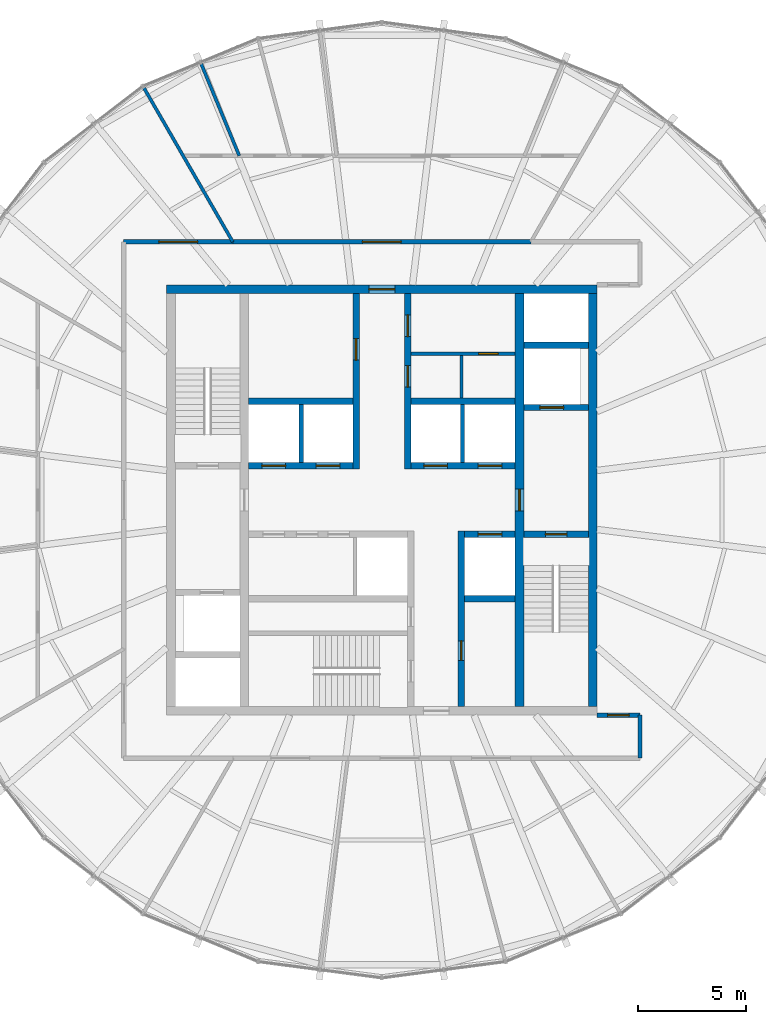
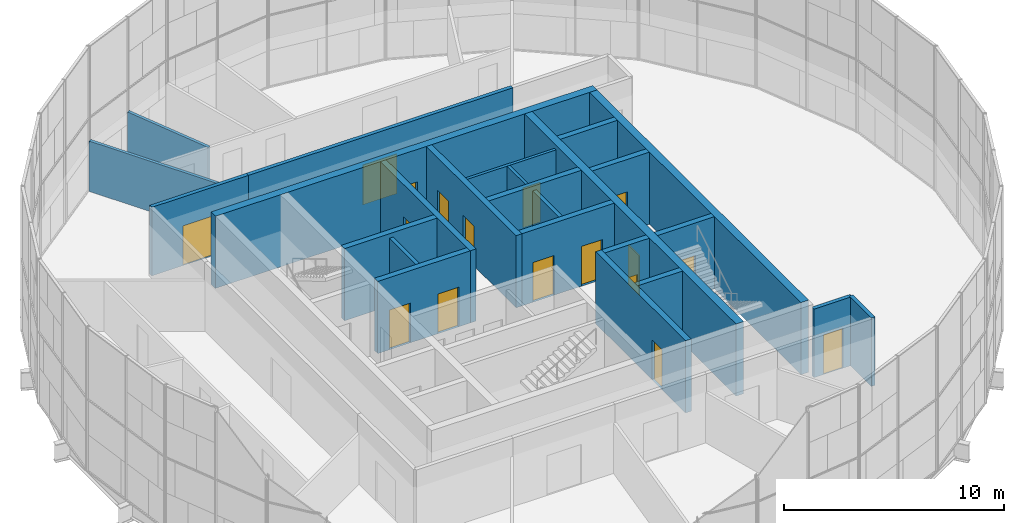
# One storey, part 17 of 19: 25 walls, 17 doors, 17 openings.
"""IFC4 building model written with IfcOpenShell, lengths in metres."""

import ifcopenshell
import ifcopenshell.guid

model = None  # the IFC model being written
_history = None  # IfcOwnerHistory: only IFC2X3 demands one
_inside = {}  # id of a spatial element -> (the spatial element, [elements in it])
_under = {}  # id of a project, library or spatial element -> (it, [spatial elements below it])
_declared = {}  # id of a project -> (the project, [libraries it declares])
_typed = {}  # id of a type object -> (the type object, [elements of that type])
_made_of = {}  # id of a material, layer set ... -> (it, [elements and type objects made of it])


def new_model(schema):
    """Start an empty IFC model of exactly this schema.

    Asked for "IFC4X3", IfcOpenShell would pick the latest addendum, in which some entities
    have other attributes; the version numbers below select the first issue.
    IFC2X3 requires an IfcOwnerHistory on every rooted entity: one is made here for all.
    """
    global model, _history
    if schema == "IFC4X3":
        model = ifcopenshell.file(schema_version=(4, 3, 0, 0))
    else:
        model = ifcopenshell.file(schema=schema)
    _inside.clear()
    _under.clear()
    _declared.clear()
    _typed.clear()
    _made_of.clear()
    _history = None
    if model.schema == "IFC2X3":
        org = make("IfcOrganization", Name="unknown")
        user = make(
            "IfcPersonAndOrganization",
            ThePerson=make("IfcPerson", FamilyName="unknown"),
            TheOrganization=org,
        )
        app = make(
            "IfcApplication",
            ApplicationDeveloper=org,
            Version="unknown",
            ApplicationFullName="unknown",
            ApplicationIdentifier="unknown",
        )
        _history = make(
            "IfcOwnerHistory",
            OwningUser=user,
            OwningApplication=app,
            ChangeAction="ADDED",
            CreationDate=0,
        )
    return model


def make(cls, **values):
    """One entity of the class cls with the attributes given. An attribute that is None is left unset."""
    return model.create_entity(
        cls, **{name: value for name, value in values.items() if value is not None}
    )


def rooted(cls, **values):
    """An entity with a GlobalId (a new one), such as an element, a storey or a relation."""
    return make(cls, GlobalId=ifcopenshell.guid.new(), OwnerHistory=_history, **values)


def si_unit(unit_type, name, prefix=None):
    """IfcSIUnit, for example si_unit("LENGTHUNIT", "METRE", prefix="MILLI")."""
    return make("IfcSIUnit", UnitType=unit_type, Prefix=prefix, Name=name)


def assignment(units):
    """IfcUnitAssignment: the units of a project."""
    return None if units is None else make("IfcUnitAssignment", Units=units)


def point(xyz):
    """IfcCartesianPoint."""
    return None if xyz is None else make("IfcCartesianPoint", Coordinates=xyz)


def direction(xyz):
    """IfcDirection."""
    return None if xyz is None else make("IfcDirection", DirectionRatios=xyz)


def frame(location, z_axis=None, x_axis=None):
    """IfcAxis2Placement3D, a coordinate frame: its origin and axes. An axis left out is left unset."""
    return make(
        "IfcAxis2Placement3D",
        Location=point(location),
        Axis=direction(z_axis),
        RefDirection=direction(x_axis),
    )


def frame_2d(location, x_axis=None):
    """IfcAxis2Placement2D, a coordinate frame in the plane: its origin and x axis."""
    return make(
        "IfcAxis2Placement2D", Location=point(location), RefDirection=direction(x_axis)
    )


def origin():
    """The frame at (0, 0, 0) with its axes left unset."""
    return frame((0.0, 0.0, 0.0))


def place(relative_to, where):
    """IfcLocalPlacement: puts the frame where relative to a parent placement (None: the world)."""
    return make(
        "IfcLocalPlacement", PlacementRelTo=relative_to, RelativePlacement=where
    )


def context(
    kind, dimensions, precision=None, world=None, true_north=None, identifier=None
):
    """IfcGeometricRepresentationContext, for example the 3D "Model" context."""
    return make(
        "IfcGeometricRepresentationContext",
        ContextIdentifier=identifier,
        ContextType=kind,
        CoordinateSpaceDimension=dimensions,
        Precision=precision,
        WorldCoordinateSystem=world,
        TrueNorth=true_north,
    )


def subcontext(parent, identifier, kind, view, scale=None):
    """IfcGeometricRepresentationSubContext, for example "Body" below "Model"."""
    return make(
        "IfcGeometricRepresentationSubContext",
        ContextIdentifier=identifier,
        ContextType=kind,
        ParentContext=parent,
        TargetScale=scale,
        TargetView=view,
    )


def project(units=None, contexts=None):
    """IfcProject with its units and contexts."""
    return rooted(
        "IfcProject",
        Name="project",
        RepresentationContexts=contexts,
        UnitsInContext=assignment(units),
    )


def spatial(cls, under=None, at=None, **own):
    """A site, building, storey or space (cls), placed at a placement, below another one or the project."""
    s = rooted(cls, ObjectPlacement=at, **own)
    if under is not None:
        _under.setdefault(under.id(), (under, []))[1].append(s)
    return s


def profile(cls, at=None, kind="AREA", **sizes):
    """A parametric profile (cls). Its sizes go by their IFC names, for example OverallWidth=200.0."""
    return make(cls, ProfileType=kind, Position=at, **sizes)


def rectangle(**sizes):
    """IfcRectangleProfileDef."""
    return profile("IfcRectangleProfileDef", **sizes)


def extrude(swept, where, along, depth):
    """IfcExtrudedAreaSolid: the profile swept, set in the frame where, extruded along a direction by depth."""
    return make(
        "IfcExtrudedAreaSolid",
        SweptArea=swept,
        Position=where,
        ExtrudedDirection=direction(along),
        Depth=depth,
    )


def shape(context_of_items, identifier, shape_type, items):
    """IfcShapeRepresentation: the items that make up one representation, for example the "Body"."""
    return make(
        "IfcShapeRepresentation",
        ContextOfItems=context_of_items,
        RepresentationIdentifier=identifier,
        RepresentationType=shape_type,
        Items=items,
    )


def material(Name=None, Category=None):
    """IfcMaterial."""
    return make("IfcMaterial", Name=Name, Category=Category)


def layer(
    of_material, thickness, ventilated=None, Name=None, Category=None, Priority=None
):
    """IfcMaterialLayer: one layer of a wall or slab, of a material (None: an air gap)."""
    return make(
        "IfcMaterialLayer",
        Material=of_material,
        LayerThickness=thickness,
        IsVentilated=ventilated,
        Name=Name,
        Category=Category,
        Priority=Priority,
    )


def layer_set(layers, Name=None):
    """IfcMaterialLayerSet."""
    return make("IfcMaterialLayerSet", MaterialLayers=layers, LayerSetName=Name)


def made_of(thing, what):
    """Note that an element or type object is made of a material, layer set ...; save() writes the relation."""
    if what is not None:
        _made_of.setdefault(what.id(), (what, []))[1].append(thing)
    return thing


def type_object(cls, material=None, **own):
    """A type object (cls), such as IfcWallType, which elements share."""
    return made_of(rooted(cls, **own), material)


def element(
    cls,
    number,
    at=None,
    inside=None,
    cuts=None,
    type_object=None,
    material=None,
    context=None,
    identifier="Body",
    shape_type=None,
    held_by="IfcProductDefinitionShape",
    body=None,
    shapes=None,
    **own,
):
    """One element of the class cls, such as IfcWall. Its Tag is "e" and its number.

    at: its placement. inside: the storey or other place that contains it. cuts: it is an
    opening in that element (IfcRelVoidsElement). A single representation is given by context,
    identifier, shape_type and body (its items); several are given by shapes. held_by: the class
    of the entity that holds the representations. save() writes the other relations.
    """
    e = rooted(cls, Tag="e%d" % number, ObjectPlacement=at, **own)
    if body is not None:
        shapes = [shape(context, identifier, shape_type, body)]
    if shapes is not None:
        e.Representation = make(held_by, Representations=shapes)
    if inside is not None:
        _inside.setdefault(inside.id(), (inside, []))[1].append(e)
    if cuts is not None:
        rooted(
            "IfcRelVoidsElement", RelatingBuildingElement=cuts, RelatedOpeningElement=e
        )
    if type_object is not None:
        _typed.setdefault(type_object.id(), (type_object, []))[1].append(e)
    return made_of(e, material)


def fill(opening, filler):
    """IfcRelFillsElement: the door or window that sits in an opening."""
    return rooted(
        "IfcRelFillsElement",
        RelatingOpeningElement=opening,
        RelatedBuildingElement=filler,
    )


def aggregate(whole, parts):
    """IfcRelAggregates: a whole, such as a stair, and the parts it consists of."""
    return rooted("IfcRelAggregates", RelatingObject=whole, RelatedObjects=parts)


def save(model, path):
    """Write the relations noted so far, then the file.

    IfcRelAggregates (storeys below a building ...), IfcRelContainedInSpatialStructure (elements
    in a storey), IfcRelDefinesByType, IfcRelAssociatesMaterial and IfcRelDeclares: one each for
    every whole, place, type object, material and project.
    """
    for whole, parts in _under.values():
        aggregate(whole, parts)
    for where, things in _inside.values():
        rooted(
            "IfcRelContainedInSpatialStructure",
            RelatedElements=things,
            RelatingStructure=where,
        )
    for kind, things in _typed.values():
        rooted("IfcRelDefinesByType", RelatedObjects=things, RelatingType=kind)
    for what, things in _made_of.values():
        rooted("IfcRelAssociatesMaterial", RelatedObjects=things, RelatingMaterial=what)
    for by, libraries in _declared.values():
        rooted("IfcRelDeclares", RelatingContext=by, RelatedDefinitions=libraries)
    model.write(path)


model = new_model("IFC4")

# Units and contexts
model_context = context("Model", 3, precision=1e-05, world=origin(), true_north=direction((0.0, 1.0)))
body_context = subcontext(model_context, "Body", "Model", "MODEL_VIEW")
ifc_project = project(units=[si_unit("LENGTHUNIT", "METRE"), si_unit("AREAUNIT", "SQUARE_METRE"), si_unit("VOLUMEUNIT", "CUBIC_METRE"), si_unit("PLANEANGLEUNIT", "RADIAN"), si_unit("MASSUNIT", "GRAM", prefix="KILO")], contexts=[model_context])

# Site, building, storey
site_placement = place(None, origin())
site = spatial("IfcSite", under=ifc_project, at=site_placement, CompositionType="ELEMENT")
building_placement = place(site_placement, origin())
building = spatial("IfcBuilding", under=site, at=building_placement, Name="Golbaran Civic Tower", CompositionType="ELEMENT")
storey_placement = place(building_placement, frame((0.0, 0.0, 256.0)))
storey = spatial("IfcBuildingStorey", under=building, at=storey_placement, Name="L62", CompositionType="ELEMENT", Elevation=256.0)

# Wall, opening, door
ifc_material_1 = material(Name="Concrete block", Category="concrete")
ifc_layer_1 = layer(ifc_material_1, 0.14990234375, Name="Concrete block")
ifc_layer_set_1 = layer_set([ifc_layer_1], Name="Concrete block")
wall_type_1 = type_object("IfcWallType", Name="BLOCKWORK PARTITION 150", PredefinedType="PARTITIONING", material=ifc_layer_set_1)
wall_1_placement = place(storey_placement, frame((1.35009765625, 6.800048828125, 0.0), z_axis=(0.0, 0.0, 1.0), x_axis=(1.0, 0.0, 0.0)))
wall_1 = element("IfcWall", 1, at=wall_1_placement, inside=storey, type_object=wall_type_1, Name="Toilet block partition TN1 L62", PredefinedType="PARTITIONING", context=body_context, shape_type="SweptSolid", body=[
    extrude(rectangle(XDim=4.849853515625, YDim=0.14990234375, at=frame_2d((2.4248046875, 0.0))), origin(), (0.0, 0.0, 1.0), 3.75),
])
opening_1_placement = place(wall_1_placement, frame((3.14990234375, 0.0, 0.0)))
opening_1 = element("IfcOpeningElement", 2, at=opening_1_placement, cuts=wall_1, Name="Opening L62.CLN", PredefinedType="OPENING", context=body_context, shape_type="SweptSolid", body=[
    extrude(rectangle(XDim=0.89990234375, YDim=2.199951171875, at=frame_2d((0.449951171875, 1.10009765625))), frame((0.0, 0.0849609375, 0.0), z_axis=(0.0, -1.0, 0.0), x_axis=(1.0, 0.0, 0.0)), (0.0, 0.0, 1.0), 0.169921875),
])
ifc_material_2 = material(Name="Timber door set in steel frame", Category="steel")
door_type_1 = type_object("IfcDoorType", Name="RISER DOOR 900x2200", OperationType="SINGLE_SWING_LEFT", PredefinedType="DOOR", material=ifc_material_2)
door_1_placement = place(opening_1_placement, origin())
door_1 = element("IfcDoor", 3, at=door_1_placement, inside=storey, type_object=door_type_1, Name="Cleaner's Store door", OperationType="SINGLE_SWING_RIGHT", OverallHeight=2.199951171875, OverallWidth=0.89990234375, PredefinedType="DOOR", context=body_context, shape_type="SweptSolid", body=[
    extrude(rectangle(XDim=0.89990234375, YDim=2.199951171875, at=frame_2d((0.449951171875, 1.10009765625))), frame((0.0, 0.02490234375, 0.0), z_axis=(0.0, -1.0, 0.0), x_axis=(1.0, 0.0, 0.0)), (0.0, 0.0, 1.0), 0.050048828125),
])
fill(opening_1, door_1)

# Wall
wall_2_placement = place(storey_placement, frame((3.699951171875, 4.75, 0.0), z_axis=(0.0, 0.0, 1.0), x_axis=(0.0, 1.0, 0.0)))
element("IfcWall", 4, at=wall_2_placement, inside=storey, type_object=wall_type_1, Name="Toilet block partition TN2 L62", PredefinedType="PARTITIONING", context=body_context, shape_type="SweptSolid", body=[
    extrude(rectangle(XDim=1.97509765625, YDim=0.14990234375, at=frame_2d((0.987548828125, 0.0))), origin(), (0.0, 0.0, 1.0), 3.75),
])

# Wall, opening, door
ifc_material_3 = material(Name="Concrete C50/60", Category="concrete")
ifc_layer_2 = layer(ifc_material_3, 0.39990234375, Name="Concrete C50/60")
ifc_layer_set_2 = layer_set([ifc_layer_2], Name="Concrete C50/60")
wall_type_2 = type_object("IfcWallType", Name="CORE WALL CONCRETE 400", PredefinedType="SOLIDWALL", material=ifc_layer_set_2)
wall_3_placement = place(storey_placement, frame((-10.0, 9.800048828125, 0.0), z_axis=(0.0, 0.0, 1.0), x_axis=(1.0, 0.0, 0.0)))
wall_3 = element("IfcWall", 5, at=wall_3_placement, inside=storey, type_object=wall_type_2, Name="Core wall CN L62", PredefinedType="SOLIDWALL", context=body_context, shape_type="SweptSolid", body=[
    extrude(rectangle(XDim=20.0, YDim=0.39990234375, at=frame_2d((10.0, 0.0))), origin(), (0.0, 0.0, 1.0), 4.0),
])
opening_2_placement = place(wall_3_placement, frame((9.39990234375, 0.0, 0.0)))
opening_2 = element("IfcOpeningElement", 6, at=opening_2_placement, cuts=wall_3, Name="Opening L62.CN", PredefinedType="OPENING", context=body_context, shape_type="SweptSolid", body=[
    extrude(rectangle(XDim=1.199951171875, YDim=2.199951171875, at=frame_2d((0.60009765625, 1.10009765625))), frame((0.0, 0.2099609375, 0.0), z_axis=(0.0, -1.0, 0.0), x_axis=(1.0, 0.0, 0.0)), (0.0, 0.0, 1.0), 0.419921875),
])
door_type_2 = type_object("IfcDoorType", Name="CORE DOOR 1200x2200", OperationType="DOUBLE_DOOR_SINGLE_SWING", PredefinedType="DOOR", material=ifc_material_2)
door_2_placement = place(opening_2_placement, origin())
door_2 = element("IfcDoor", 7, at=door_2_placement, inside=storey, type_object=door_type_2, Name="Core door north", OperationType="DOUBLE_DOOR_SINGLE_SWING", OverallHeight=2.199951171875, OverallWidth=1.199951171875, PredefinedType="DOOR", context=body_context, shape_type="SweptSolid", body=[
    extrude(rectangle(XDim=1.199951171875, YDim=2.199951171875, at=frame_2d((0.60009765625, 1.10009765625))), frame((0.0, 0.02490234375, 0.0), z_axis=(0.0, -1.0, 0.0), x_axis=(1.0, 0.0, 0.0)), (0.0, 0.0, 1.0), 0.050048828125),
])
fill(opening_2, door_2)

# Wall
wall_4_placement = place(storey_placement, frame((9.800048828125, -9.60009765625, 0.0), z_axis=(0.0, 0.0, 1.0), x_axis=(0.0, 1.0, 0.0)))
element("IfcWall", 8, at=wall_4_placement, inside=storey, type_object=wall_type_2, Name="Core wall CE L62", PredefinedType="SOLIDWALL", context=body_context, shape_type="SweptSolid", body=[
    extrude(rectangle(XDim=19.2001953125, YDim=0.39990234375, at=frame_2d((9.60009765625, 0.0))), origin(), (0.0, 0.0, 1.0), 4.0),
])

# Wall, opening, door
wall_5_placement = place(storey_placement, frame((6.39990234375, 9.60009765625, 0.0), z_axis=(0.0, 0.0, 1.0), x_axis=(0.0, -1.0, 0.0)))
wall_5 = element("IfcWall", 9, at=wall_5_placement, inside=storey, type_object=wall_type_2, Name="Core wall IE L62", PredefinedType="SOLIDWALL", context=body_context, shape_type="SweptSolid", body=[
    extrude(rectangle(XDim=19.2001953125, YDim=0.39990234375, at=frame_2d((9.60009765625, 0.0))), origin(), (0.0, 0.0, 1.0), 4.0),
])
opening_3_placement = place(wall_5_placement, frame((9.10009765625, 0.0, 0.0)))
opening_3 = element("IfcOpeningElement", 10, at=opening_3_placement, cuts=wall_5, Name="Opening L62.FL2", PredefinedType="OPENING", context=body_context, shape_type="SweptSolid", body=[
    extrude(rectangle(XDim=1.0, YDim=2.199951171875, at=frame_2d((0.5, 1.10009765625))), frame((0.0, 0.2099609375, 0.0), z_axis=(0.0, -1.0, 0.0), x_axis=(1.0, 0.0, 0.0)), (0.0, 0.0, 1.0), 0.419921875),
])
door_type_3 = type_object("IfcDoorType", Name="STAIR DOOR 1000x2200", OperationType="SINGLE_SWING_LEFT", PredefinedType="DOOR", material=ifc_material_2)
door_3_placement = place(opening_3_placement, origin())
door_3 = element("IfcDoor", 11, at=door_3_placement, inside=storey, type_object=door_type_3, Name="Fire-fighting lobby FL2 door", OperationType="SINGLE_SWING_RIGHT", OverallHeight=2.199951171875, OverallWidth=1.0, PredefinedType="DOOR", context=body_context, shape_type="SweptSolid", body=[
    extrude(rectangle(XDim=1.0, YDim=2.199951171875, at=frame_2d((0.5, 1.10009765625))), frame((0.0, 0.02490234375, 0.0), z_axis=(0.0, -1.0, 0.0), x_axis=(1.0, 0.0, 0.0)), (0.0, 0.0, 1.0), 0.050048828125),
])
fill(opening_3, door_3)

ifc_material_4 = material(Name="Gypsum board on steel studs, fire-rated", Category="steel")
ifc_layer_3 = layer(ifc_material_4, 0.199951171875, Name="Gypsum board on steel studs, fire-rated")
ifc_layer_set_3 = layer_set([ifc_layer_3], Name="Gypsum board on steel studs, fire-rated")
wall_type_3 = type_object("IfcWallType", Name="CORRIDOR WALL 200", PredefinedType="PARTITIONING", material=ifc_layer_set_3)
wall_6_placement = place(storey_placement, frame((6.92822265625, 12.0, 0.0), z_axis=(0.0, 0.0, 1.0), x_axis=(-1.0, 0.0, 0.0)))
wall_6 = element("IfcWall", 12, at=wall_6_placement, inside=storey, type_object=wall_type_3, Name="Corridor wall L62", PredefinedType="PARTITIONING", context=body_context, shape_type="SweptSolid", body=[
    extrude(rectangle(XDim=13.8564453125, YDim=0.199951171875, at=frame_2d((6.92822265625, 0.0))), origin(), (0.0, 0.0, 1.0), 3.800048828125),
])
opening_4_placement = place(wall_6_placement, frame((6.0283203125, 0.0, 0.0)))
opening_4 = element("IfcOpeningElement", 13, at=opening_4_placement, cuts=wall_6, Name="Opening L62.09", PredefinedType="OPENING", context=body_context, shape_type="SweptSolid", body=[
    extrude(rectangle(XDim=1.800048828125, YDim=2.199951171875, at=frame_2d((0.89990234375, 1.10009765625))), frame((0.0, 0.10986328125, 0.0), z_axis=(0.0, -1.0, 0.0), x_axis=(1.0, 0.0, 0.0)), (0.0, 0.0, 1.0), 0.219970703125),
])
door_type_4 = type_object("IfcDoorType", Name="OFFICE DOUBLE DOOR 1800x2200", OperationType="DOUBLE_DOOR_SINGLE_SWING", PredefinedType="DOOR", material=ifc_material_2)
door_4_placement = place(opening_4_placement, origin())
door_4 = element("IfcDoor", 14, at=door_4_placement, inside=storey, type_object=door_type_4, Name="Reception door L62", OperationType="DOUBLE_DOOR_SINGLE_SWING", OverallHeight=2.199951171875, OverallWidth=1.800048828125, PredefinedType="DOOR", context=body_context, shape_type="SweptSolid", body=[
    extrude(rectangle(XDim=1.800048828125, YDim=2.199951171875, at=frame_2d((0.89990234375, 1.10009765625))), frame((0.0, 0.02490234375, 0.0), z_axis=(0.0, -1.0, 0.0), x_axis=(1.0, 0.0, 0.0)), (0.0, 0.0, 1.0), 0.050048828125),
])
fill(opening_4, door_4)

wall_7_placement = place(storey_placement, frame((-6.92822265625, 12.0, 0.0), z_axis=(0.0, 0.0, 1.0), x_axis=(-1.0, 0.0, 0.0)))
wall_7 = element("IfcWall", 15, at=wall_7_placement, inside=storey, type_object=wall_type_3, Name="Corridor wall L62", PredefinedType="PARTITIONING", context=body_context, shape_type="SweptSolid", body=[
    extrude(rectangle(XDim=5.07177734375, YDim=0.199951171875, at=frame_2d((2.535888671875, 0.0))), origin(), (0.0, 0.0, 1.0), 3.800048828125),
])
opening_5_placement = place(wall_7_placement, frame((1.635986328125, 0.0, 0.0)))
opening_5 = element("IfcOpeningElement", 16, at=opening_5_placement, cuts=wall_7, Name="Opening L62.10", PredefinedType="OPENING", context=body_context, shape_type="SweptSolid", body=[
    extrude(rectangle(XDim=1.800048828125, YDim=2.199951171875, at=frame_2d((0.89990234375, 1.10009765625))), frame((0.0, 0.10986328125, 0.0), z_axis=(0.0, -1.0, 0.0), x_axis=(1.0, 0.0, 0.0)), (0.0, 0.0, 1.0), 0.219970703125),
])
door_5_placement = place(opening_5_placement, origin())
door_5 = element("IfcDoor", 17, at=door_5_placement, inside=storey, type_object=door_type_4, Name="Open Office door L62", OperationType="DOUBLE_DOOR_SINGLE_SWING", OverallHeight=2.199951171875, OverallWidth=1.800048828125, PredefinedType="DOOR", context=body_context, shape_type="SweptSolid", body=[
    extrude(rectangle(XDim=1.800048828125, YDim=2.199951171875, at=frame_2d((0.89990234375, 1.10009765625))), frame((0.0, 0.02490234375, 0.0), z_axis=(0.0, -1.0, 0.0), x_axis=(1.0, 0.0, 0.0)), (0.0, 0.0, 1.0), 0.050048828125),
])
fill(opening_5, door_5)

# Wall
wall_8_placement = place(storey_placement, frame((12.0, -12.0, 0.0), z_axis=(0.0, 0.0, 1.0), x_axis=(0.0, 1.0, 0.0)))
element("IfcWall", 18, at=wall_8_placement, inside=storey, type_object=wall_type_3, Name="Corridor wall L62", PredefinedType="PARTITIONING", context=body_context, shape_type="SweptSolid", body=[
    extrude(rectangle(XDim=2.0, YDim=0.199951171875, at=frame_2d((1.0, 0.0))), origin(), (0.0, 0.0, 1.0), 3.800048828125),
])

# Wall, opening, door
wall_9_placement = place(storey_placement, frame((10.0, -10.0, 0.0), z_axis=(0.0, 0.0, 1.0), x_axis=(1.0, 0.0, 0.0)))
wall_9 = element("IfcWall", 19, at=wall_9_placement, inside=storey, type_object=wall_type_3, Name="Corridor end wall L62", PredefinedType="PARTITIONING", context=body_context, shape_type="SweptSolid", body=[
    extrude(rectangle(XDim=2.0, YDim=0.199951171875, at=frame_2d((1.0, 0.0))), origin(), (0.0, 0.0, 1.0), 3.800048828125),
])
opening_6_placement = place(wall_9_placement, frame((0.5, 0.0, 0.0)))
opening_6 = element("IfcOpeningElement", 20, at=opening_6_placement, cuts=wall_9, Name="Opening L62.17", PredefinedType="OPENING", context=body_context, shape_type="SweptSolid", body=[
    extrude(rectangle(XDim=1.0, YDim=2.199951171875, at=frame_2d((0.5, 1.10009765625))), frame((0.0, 0.10986328125, 0.0), z_axis=(0.0, -1.0, 0.0), x_axis=(1.0, 0.0, 0.0)), (0.0, 0.0, 1.0), 0.219970703125),
])
door_type_5 = type_object("IfcDoorType", Name="OFFICE DOOR 1000x2200", OperationType="SINGLE_SWING_LEFT", PredefinedType="DOOR", material=ifc_material_2)
door_6_placement = place(opening_6_placement, origin())
door_6 = element("IfcDoor", 21, at=door_6_placement, inside=storey, type_object=door_type_5, Name="Open Office door L62", OperationType="SINGLE_SWING_LEFT", OverallHeight=2.199951171875, OverallWidth=1.0, PredefinedType="DOOR", context=body_context, shape_type="SweptSolid", body=[
    extrude(rectangle(XDim=1.0, YDim=2.199951171875, at=frame_2d((0.5, 1.10009765625))), frame((0.0, 0.02490234375, 0.0), z_axis=(0.0, -1.0, 0.0), x_axis=(1.0, 0.0, 0.0)), (0.0, 0.0, 1.0), 0.050048828125),
])
fill(opening_6, door_6)

# Walls
ifc_layer_4 = layer(ifc_material_1, 0.199951171875, Name="Concrete block")
ifc_layer_set_4 = layer_set([ifc_layer_4], Name="Concrete block")
wall_type_4 = type_object("IfcWallType", Name="LIFT SEPARATOR WALL 200", PredefinedType="SOLIDWALL", material=ifc_layer_set_4)
for number, where, z_axis, x_axis, name in (
    (22, (-3.75, 1.75, 0.0), (0.0, 0.0, 1.0), (0.0, 1.0, 0.0), "Core partition SNW L62"),
    (23, (3.75, 1.75, 0.0), (0.0, 0.0, 1.0), (0.0, 1.0, 0.0), "Core partition SNE L62"),
):
    element("IfcWall", number, at=place(storey_placement, frame(where, z_axis=z_axis, x_axis=x_axis)), inside=storey, type_object=wall_type_4, Name=name, PredefinedType="SOLIDWALL", context=body_context, shape_type="SweptSolid", body=[
        extrude(rectangle(XDim=2.699951171875, YDim=0.199951171875, at=frame_2d((1.35009765625, 0.0))), origin(), (0.0, 0.0, 1.0), 3.75),
    ])
ifc_material_5 = material(Name="Gypsum board on steel studs", Category="steel")
ifc_layer_5 = layer(ifc_material_5, 0.14990234375, Name="Gypsum board on steel studs")
ifc_layer_set_5 = layer_set([ifc_layer_5], Name="Gypsum board on steel studs")
wall_type_5 = type_object("IfcWallType", Name="OFFICE PARTITION 150", PredefinedType="PARTITIONING", material=ifc_layer_set_5)
wall_10_placement = place(storey_placement, frame((-6.92822265625, 12.0, 0.0), z_axis=(0.0, 0.0, 1.0), x_axis=(-0.499989206474, 0.86603163534, 0.0)))
element("IfcWall", 24, at=wall_10_placement, inside=storey, type_object=wall_type_5, Name="Partition 120 L62", PredefinedType="PARTITIONING", context=body_context, shape_type="SweptSolid", body=[
    extrude(rectangle(XDim=8.265869140625, YDim=0.14990234375, at=frame_2d((4.1328125, 0.0))), origin(), (0.0, 0.0, 1.0), 2.7900390625),
])
wall_11_placement = place(storey_placement, frame((-6.62744140625, 16.0, 0.0), z_axis=(0.0, 0.0, 1.0), x_axis=(-0.38266485266, 0.923887228258, 0.0)))
element("IfcWall", 25, at=wall_11_placement, inside=storey, type_object=wall_type_5, Name="Partition 112.5 L62", PredefinedType="PARTITIONING", context=body_context, shape_type="SweptSolid", body=[
    extrude(rectangle(XDim=4.61474609375, YDim=0.14990234375, at=frame_2d((2.307373046875, 0.0))), origin(), (0.0, 0.0, 1.0), 2.7900390625),
])

# Wall, openings, doors
ifc_layer_6 = layer(ifc_material_3, 0.300048828125, Name="Concrete C50/60")
ifc_layer_set_6 = layer_set([ifc_layer_6], Name="Concrete C50/60")
wall_type_6 = type_object("IfcWallType", Name="SHAFT WALL CONCRETE 300", PredefinedType="SOLIDWALL", material=ifc_layer_set_6)
wall_12_placement = place(storey_placement, frame((-6.199951171875, 1.60009765625, 0.0), z_axis=(0.0, 0.0, 1.0), x_axis=(1.0, 0.0, 0.0)))
wall_12 = element("IfcWall", 26, at=wall_12_placement, inside=storey, type_object=wall_type_6, Name="Core wall FNW L62", PredefinedType="SOLIDWALL", context=body_context, shape_type="SweptSolid", body=[
    extrude(rectangle(XDim=4.849853515625, YDim=0.300048828125, at=frame_2d((2.4248046875, 0.0))), origin(), (0.0, 0.0, 1.0), 4.0),
])
opening_7_placement = place(wall_12_placement, frame((0.625, 0.0, 0.0)))
opening_7 = element("IfcOpeningElement", 27, at=opening_7_placement, cuts=wall_12, Name="Opening L62.LD-Z1T", PredefinedType="OPENING", context=body_context, shape_type="SweptSolid", body=[
    extrude(rectangle(XDim=1.10009765625, YDim=2.199951171875, at=frame_2d((0.550048828125, 1.10009765625))), frame((0.0, 0.159912109375, 0.0), z_axis=(0.0, -1.0, 0.0), x_axis=(1.0, 0.0, 0.0)), (0.0, 0.0, 1.0), 0.320068359375),
])
opening_8_placement = place(wall_12_placement, frame((3.14990234375, 0.0, 0.0)))
opening_8 = element("IfcOpeningElement", 28, at=opening_8_placement, cuts=wall_12, Name="Opening L62.LD-Z2T", PredefinedType="OPENING", context=body_context, shape_type="SweptSolid", body=[
    extrude(rectangle(XDim=1.10009765625, YDim=2.199951171875, at=frame_2d((0.550048828125, 1.10009765625))), frame((0.0, 0.159912109375, 0.0), z_axis=(0.0, -1.0, 0.0), x_axis=(1.0, 0.0, 0.0)), (0.0, 0.0, 1.0), 0.320068359375),
])
ifc_material_6 = material(Name="Stainless steel", Category="steel")
door_type_6 = type_object("IfcDoorType", Name="LIFT LANDING DOOR 1100x2200", OperationType="SLIDING_TO_LEFT", PredefinedType="DOOR", material=ifc_material_6)
door_7_placement = place(opening_7_placement, origin())
door_7 = element("IfcDoor", 29, at=door_7_placement, inside=storey, type_object=door_type_6, Name="Lift landing door Z1T", OperationType="SLIDING_TO_LEFT", OverallHeight=2.199951171875, OverallWidth=1.10009765625, PredefinedType="DOOR", context=body_context, shape_type="SweptSolid", body=[
    extrude(rectangle(XDim=1.10009765625, YDim=2.199951171875, at=frame_2d((0.550048828125, 1.10009765625))), frame((0.0, 0.02490234375, 0.0), z_axis=(0.0, -1.0, 0.0), x_axis=(1.0, 0.0, 0.0)), (0.0, 0.0, 1.0), 0.050048828125),
])
fill(opening_7, door_7)
door_8_placement = place(opening_8_placement, origin())
door_8 = element("IfcDoor", 30, at=door_8_placement, inside=storey, type_object=door_type_6, Name="Lift landing door Z2T", OperationType="SLIDING_TO_LEFT", OverallHeight=2.199951171875, OverallWidth=1.10009765625, PredefinedType="DOOR", context=body_context, shape_type="SweptSolid", body=[
    extrude(rectangle(XDim=1.10009765625, YDim=2.199951171875, at=frame_2d((0.550048828125, 1.10009765625))), frame((0.0, 0.02490234375, 0.0), z_axis=(0.0, -1.0, 0.0), x_axis=(1.0, 0.0, 0.0)), (0.0, 0.0, 1.0), 0.050048828125),
])
fill(opening_8, door_8)

wall_13_placement = place(storey_placement, frame((1.35009765625, 1.60009765625, 0.0), z_axis=(0.0, 0.0, 1.0), x_axis=(1.0, 0.0, 0.0)))
wall_13 = element("IfcWall", 31, at=wall_13_placement, inside=storey, type_object=wall_type_6, Name="Core wall FNE L62", PredefinedType="SOLIDWALL", context=body_context, shape_type="SweptSolid", body=[
    extrude(rectangle(XDim=4.849853515625, YDim=0.300048828125, at=frame_2d((2.4248046875, 0.0))), origin(), (0.0, 0.0, 1.0), 4.0),
])
opening_9_placement = place(wall_13_placement, frame((0.60009765625, 0.0, 0.0)))
opening_9 = element("IfcOpeningElement", 32, at=opening_9_placement, cuts=wall_13, Name="Opening L62.LD-Z3T", PredefinedType="OPENING", context=body_context, shape_type="SweptSolid", body=[
    extrude(rectangle(XDim=1.10009765625, YDim=2.199951171875, at=frame_2d((0.550048828125, 1.10009765625))), frame((0.0, 0.159912109375, 0.0), z_axis=(0.0, -1.0, 0.0), x_axis=(1.0, 0.0, 0.0)), (0.0, 0.0, 1.0), 0.320068359375),
])
opening_10_placement = place(wall_13_placement, frame((3.125, 0.0, 0.0)))
opening_10 = element("IfcOpeningElement", 33, at=opening_10_placement, cuts=wall_13, Name="Opening L62.LD-Z4T", PredefinedType="OPENING", context=body_context, shape_type="SweptSolid", body=[
    extrude(rectangle(XDim=1.10009765625, YDim=2.199951171875, at=frame_2d((0.550048828125, 1.10009765625))), frame((0.0, 0.159912109375, 0.0), z_axis=(0.0, -1.0, 0.0), x_axis=(1.0, 0.0, 0.0)), (0.0, 0.0, 1.0), 0.320068359375),
])
door_9_placement = place(opening_9_placement, origin())
door_9 = element("IfcDoor", 34, at=door_9_placement, inside=storey, type_object=door_type_6, Name="Lift landing door Z3T", OperationType="SLIDING_TO_LEFT", OverallHeight=2.199951171875, OverallWidth=1.10009765625, PredefinedType="DOOR", context=body_context, shape_type="SweptSolid", body=[
    extrude(rectangle(XDim=1.10009765625, YDim=2.199951171875, at=frame_2d((0.550048828125, 1.10009765625))), frame((0.0, 0.02490234375, 0.0), z_axis=(0.0, -1.0, 0.0), x_axis=(1.0, 0.0, 0.0)), (0.0, 0.0, 1.0), 0.050048828125),
])
fill(opening_9, door_9)
door_10_placement = place(opening_10_placement, origin())
door_10 = element("IfcDoor", 35, at=door_10_placement, inside=storey, type_object=door_type_6, Name="Lift landing door Z4T", OperationType="SLIDING_TO_LEFT", OverallHeight=2.199951171875, OverallWidth=1.10009765625, PredefinedType="DOOR", context=body_context, shape_type="SweptSolid", body=[
    extrude(rectangle(XDim=1.10009765625, YDim=2.199951171875, at=frame_2d((0.550048828125, 1.10009765625))), frame((0.0, 0.02490234375, 0.0), z_axis=(0.0, -1.0, 0.0), x_axis=(1.0, 0.0, 0.0)), (0.0, 0.0, 1.0), 0.050048828125),
])
fill(opening_10, door_10)

# Walls
for number, where, z_axis, x_axis, name in (
    (36, (-6.199951171875, 4.60009765625, 0.0), (0.0, 0.0, 1.0), (1.0, 0.0, 0.0), "Core wall BNW L62"),
    (37, (1.35009765625, 4.60009765625, 0.0), (0.0, 0.0, 1.0), (1.0, 0.0, 0.0), "Core wall BNE L62"),
):
    element("IfcWall", number, at=place(storey_placement, frame(where, z_axis=z_axis, x_axis=x_axis)), inside=storey, type_object=wall_type_6, Name=name, PredefinedType="SOLIDWALL", context=body_context, shape_type="SweptSolid", body=[
        extrude(rectangle(XDim=4.849853515625, YDim=0.300048828125, at=frame_2d((2.4248046875, 0.0))), origin(), (0.0, 0.0, 1.0), 4.0),
    ])

# Wall, opening, door
wall_14_placement = place(storey_placement, frame((-1.199951171875, 1.449951171875, 0.0), z_axis=(0.0, 0.0, 1.0), x_axis=(0.0, 1.0, 0.0)))
wall_14 = element("IfcWall", 38, at=wall_14_placement, inside=storey, type_object=wall_type_6, Name="Core wall PNW L62", PredefinedType="SOLIDWALL", context=body_context, shape_type="SweptSolid", body=[
    extrude(rectangle(XDim=8.150146484375, YDim=0.300048828125, at=frame_2d((4.0751953125, 0.0))), origin(), (0.0, 0.0, 1.0), 4.0),
])
opening_11_placement = place(wall_14_placement, frame((5.050048828125, 0.0, 0.0)))
opening_11 = element("IfcOpeningElement", 39, at=opening_11_placement, cuts=wall_14, Name="Opening L62.WCM", PredefinedType="OPENING", context=body_context, shape_type="SweptSolid", body=[
    extrude(rectangle(XDim=1.0, YDim=2.199951171875, at=frame_2d((0.5, 1.10009765625))), frame((0.0, 0.159912109375, 0.0), z_axis=(0.0, -1.0, 0.0), x_axis=(1.0, 0.0, 0.0)), (0.0, 0.0, 1.0), 0.320068359375),
])
door_type_7 = type_object("IfcDoorType", Name="TOILET DOOR 1000x2200", OperationType="SINGLE_SWING_LEFT", PredefinedType="DOOR", material=ifc_material_2)
door_11_placement = place(opening_11_placement, origin())
door_11 = element("IfcDoor", 40, at=door_11_placement, inside=storey, type_object=door_type_7, Name="North-west toilet block door", OperationType="SINGLE_SWING_RIGHT", OverallHeight=2.199951171875, OverallWidth=1.0, PredefinedType="DOOR", context=body_context, shape_type="SweptSolid", body=[
    extrude(rectangle(XDim=1.0, YDim=2.199951171875, at=frame_2d((0.5, 1.10009765625))), frame((0.0, 0.02490234375, 0.0), z_axis=(0.0, -1.0, 0.0), x_axis=(1.0, 0.0, 0.0)), (0.0, 0.0, 1.0), 0.050048828125),
])
fill(opening_11, door_11)

# Wall, openings, doors
wall_15_placement = place(storey_placement, frame((1.199951171875, 1.449951171875, 0.0), z_axis=(0.0, 0.0, 1.0), x_axis=(0.0, 1.0, 0.0)))
wall_15 = element("IfcWall", 41, at=wall_15_placement, inside=storey, type_object=wall_type_6, Name="Core wall PNE L62", PredefinedType="SOLIDWALL", context=body_context, shape_type="SweptSolid", body=[
    extrude(rectangle(XDim=8.150146484375, YDim=0.300048828125, at=frame_2d((4.0751953125, 0.0))), origin(), (0.0, 0.0, 1.0), 4.0),
])
opening_12_placement = place(wall_15_placement, frame((3.800048828125, 0.0, 0.0)))
opening_12 = element("IfcOpeningElement", 42, at=opening_12_placement, cuts=wall_15, Name="Opening L62.WCA", PredefinedType="OPENING", context=body_context, shape_type="SweptSolid", body=[
    extrude(rectangle(XDim=1.0, YDim=2.199951171875, at=frame_2d((0.5, 1.10009765625))), frame((0.0, 0.159912109375, 0.0), z_axis=(0.0, -1.0, 0.0), x_axis=(1.0, 0.0, 0.0)), (0.0, 0.0, 1.0), 0.320068359375),
])
opening_13_placement = place(wall_15_placement, frame((6.14990234375, 0.0, 0.0)))
opening_13 = element("IfcOpeningElement", 43, at=opening_13_placement, cuts=wall_15, Name="Opening L62.WCF", PredefinedType="OPENING", context=body_context, shape_type="SweptSolid", body=[
    extrude(rectangle(XDim=1.0, YDim=2.199951171875, at=frame_2d((0.5, 1.10009765625))), frame((0.0, 0.159912109375, 0.0), z_axis=(0.0, -1.0, 0.0), x_axis=(1.0, 0.0, 0.0)), (0.0, 0.0, 1.0), 0.320068359375),
])
door_12_placement = place(opening_12_placement, origin())
door_12 = element("IfcDoor", 44, at=door_12_placement, inside=storey, type_object=door_type_7, Name="Accessible WC door", OperationType="SINGLE_SWING_RIGHT", OverallHeight=2.199951171875, OverallWidth=1.0, PredefinedType="DOOR", context=body_context, shape_type="SweptSolid", body=[
    extrude(rectangle(XDim=1.0, YDim=2.199951171875, at=frame_2d((0.5, 1.10009765625))), frame((0.0, 0.02490234375, 0.0), z_axis=(0.0, -1.0, 0.0), x_axis=(1.0, 0.0, 0.0)), (0.0, 0.0, 1.0), 0.050048828125),
])
fill(opening_12, door_12)
door_13_placement = place(opening_13_placement, origin())
door_13 = element("IfcDoor", 45, at=door_13_placement, inside=storey, type_object=door_type_7, Name="North-east toilet block door", OperationType="SINGLE_SWING_RIGHT", OverallHeight=2.199951171875, OverallWidth=1.0, PredefinedType="DOOR", context=body_context, shape_type="SweptSolid", body=[
    extrude(rectangle(XDim=1.0, YDim=2.199951171875, at=frame_2d((0.5, 1.10009765625))), frame((0.0, 0.02490234375, 0.0), z_axis=(0.0, -1.0, 0.0), x_axis=(1.0, 0.0, 0.0)), (0.0, 0.0, 1.0), 0.050048828125),
])
fill(opening_13, door_13)

# Wall, opening, door
wall_16_placement = place(storey_placement, frame((3.85009765625, -1.60009765625, 0.0), z_axis=(0.0, 0.0, 1.0), x_axis=(1.0, 0.0, 0.0)))
wall_16 = element("IfcWall", 46, at=wall_16_placement, inside=storey, type_object=wall_type_6, Name="Core wall FSE L62", PredefinedType="SOLIDWALL", context=body_context, shape_type="SweptSolid", body=[
    extrude(rectangle(XDim=2.349853515625, YDim=0.300048828125, at=frame_2d((1.1748046875, 0.0))), origin(), (0.0, 0.0, 1.0), 4.0),
])
opening_14_placement = place(wall_16_placement, frame((0.625, 0.0, 0.0)))
opening_14 = element("IfcOpeningElement", 47, at=opening_14_placement, cuts=wall_16, Name="Opening L62.LD-V1", PredefinedType="OPENING", context=body_context, shape_type="SweptSolid", body=[
    extrude(rectangle(XDim=1.10009765625, YDim=2.199951171875, at=frame_2d((0.550048828125, 1.10009765625))), frame((0.0, 0.159912109375, 0.0), z_axis=(0.0, -1.0, 0.0), x_axis=(1.0, 0.0, 0.0)), (0.0, 0.0, 1.0), 0.320068359375),
])
door_14_placement = place(opening_14_placement, origin())
door_14 = element("IfcDoor", 48, at=door_14_placement, inside=storey, type_object=door_type_6, Name="Lift landing door V1", OperationType="SLIDING_TO_LEFT", OverallHeight=2.199951171875, OverallWidth=1.10009765625, PredefinedType="DOOR", context=body_context, shape_type="SweptSolid", body=[
    extrude(rectangle(XDim=1.10009765625, YDim=2.199951171875, at=frame_2d((0.550048828125, 1.10009765625))), frame((0.0, 0.02490234375, 0.0), z_axis=(0.0, -1.0, 0.0), x_axis=(1.0, 0.0, 0.0)), (0.0, 0.0, 1.0), 0.050048828125),
])
fill(opening_14, door_14)

# Wall
wall_17_placement = place(storey_placement, frame((3.85009765625, -4.60009765625, 0.0), z_axis=(0.0, 0.0, 1.0), x_axis=(1.0, 0.0, 0.0)))
element("IfcWall", 49, at=wall_17_placement, inside=storey, type_object=wall_type_6, Name="Core wall BSE L62", PredefinedType="SOLIDWALL", context=body_context, shape_type="SweptSolid", body=[
    extrude(rectangle(XDim=2.349853515625, YDim=0.300048828125, at=frame_2d((1.1748046875, 0.0))), origin(), (0.0, 0.0, 1.0), 4.0),
])

# Wall, opening, door
wall_18_placement = place(storey_placement, frame((3.699951171875, -1.449951171875, 0.0), z_axis=(0.0, 0.0, 1.0), x_axis=(0.0, -1.0, 0.0)))
wall_18 = element("IfcWall", 50, at=wall_18_placement, inside=storey, type_object=wall_type_6, Name="Core wall PSE L62", PredefinedType="SOLIDWALL", context=body_context, shape_type="SweptSolid", body=[
    extrude(rectangle(XDim=8.150146484375, YDim=0.300048828125, at=frame_2d((4.0751953125, 0.0))), origin(), (0.0, 0.0, 1.0), 4.0),
])
opening_15_placement = place(wall_18_placement, frame((5.10009765625, 0.0, 0.0)))
opening_15 = element("IfcOpeningElement", 51, at=opening_15_placement, cuts=wall_18, Name="Opening L62.RM", PredefinedType="OPENING", context=body_context, shape_type="SweptSolid", body=[
    extrude(rectangle(XDim=0.89990234375, YDim=2.199951171875, at=frame_2d((0.449951171875, 1.10009765625))), frame((0.0, 0.159912109375, 0.0), z_axis=(0.0, -1.0, 0.0), x_axis=(1.0, 0.0, 0.0)), (0.0, 0.0, 1.0), 0.320068359375),
])
door_15_placement = place(opening_15_placement, origin())
door_15 = element("IfcDoor", 52, at=door_15_placement, inside=storey, type_object=door_type_1, Name="Mechanical riser door", OperationType="SINGLE_SWING_RIGHT", OverallHeight=2.199951171875, OverallWidth=0.89990234375, PredefinedType="DOOR", context=body_context, shape_type="SweptSolid", body=[
    extrude(rectangle(XDim=0.89990234375, YDim=2.199951171875, at=frame_2d((0.449951171875, 1.10009765625))), frame((0.0, 0.02490234375, 0.0), z_axis=(0.0, -1.0, 0.0), x_axis=(1.0, 0.0, 0.0)), (0.0, 0.0, 1.0), 0.050048828125),
])
fill(opening_15, door_15)

wall_19_placement = place(storey_placement, frame((6.60009765625, -1.60009765625, 0.0), z_axis=(0.0, 0.0, 1.0), x_axis=(1.0, 0.0, 0.0)))
wall_19 = element("IfcWall", 53, at=wall_19_placement, inside=storey, type_object=wall_type_6, Name="Core wall XE1 L62", PredefinedType="SOLIDWALL", context=body_context, shape_type="SweptSolid", body=[
    extrude(rectangle(XDim=3.0, YDim=0.300048828125, at=frame_2d((1.5, 0.0))), origin(), (0.0, 0.0, 1.0), 4.0),
])
opening_16_placement = place(wall_19_placement, frame((1.0, 0.0, 0.0)))
opening_16 = element("IfcOpeningElement", 54, at=opening_16_placement, cuts=wall_19, Name="Opening L62.S2", PredefinedType="OPENING", context=body_context, shape_type="SweptSolid", body=[
    extrude(rectangle(XDim=1.0, YDim=2.199951171875, at=frame_2d((0.5, 1.10009765625))), frame((0.0, 0.159912109375, 0.0), z_axis=(0.0, -1.0, 0.0), x_axis=(1.0, 0.0, 0.0)), (0.0, 0.0, 1.0), 0.320068359375),
])
door_16_placement = place(opening_16_placement, origin())
door_16 = element("IfcDoor", 55, at=door_16_placement, inside=storey, type_object=door_type_3, Name="Stair S2 door", OperationType="SINGLE_SWING_LEFT", OverallHeight=2.199951171875, OverallWidth=1.0, PredefinedType="DOOR", context=body_context, shape_type="SweptSolid", body=[
    extrude(rectangle(XDim=1.0, YDim=2.199951171875, at=frame_2d((0.5, 1.10009765625))), frame((0.0, 0.02490234375, 0.0), z_axis=(0.0, -1.0, 0.0), x_axis=(1.0, 0.0, 0.0)), (0.0, 0.0, 1.0), 0.050048828125),
])
fill(opening_16, door_16)

wall_20_placement = place(storey_placement, frame((6.60009765625, 4.300048828125, 0.0), z_axis=(0.0, 0.0, 1.0), x_axis=(1.0, 0.0, 0.0)))
wall_20 = element("IfcWall", 56, at=wall_20_placement, inside=storey, type_object=wall_type_6, Name="Core wall XE2 L62", PredefinedType="SOLIDWALL", context=body_context, shape_type="SweptSolid", body=[
    extrude(rectangle(XDim=3.0, YDim=0.300048828125, at=frame_2d((1.5, 0.0))), origin(), (0.0, 0.0, 1.0), 4.0),
])
opening_17_placement = place(wall_20_placement, frame((0.75, 0.0, 0.0)))
opening_17 = element("IfcOpeningElement", 57, at=opening_17_placement, cuts=wall_20, Name="Opening L62.LD-F2", PredefinedType="OPENING", context=body_context, shape_type="SweptSolid", body=[
    extrude(rectangle(XDim=1.10009765625, YDim=2.199951171875, at=frame_2d((0.550048828125, 1.10009765625))), frame((0.0, 0.159912109375, 0.0), z_axis=(0.0, -1.0, 0.0), x_axis=(1.0, 0.0, 0.0)), (0.0, 0.0, 1.0), 0.320068359375),
])
door_17_placement = place(opening_17_placement, origin())
door_17 = element("IfcDoor", 58, at=door_17_placement, inside=storey, type_object=door_type_6, Name="Lift landing door F2", OperationType="SLIDING_TO_LEFT", OverallHeight=2.199951171875, OverallWidth=1.10009765625, PredefinedType="DOOR", context=body_context, shape_type="SweptSolid", body=[
    extrude(rectangle(XDim=1.10009765625, YDim=2.199951171875, at=frame_2d((0.550048828125, 1.10009765625))), frame((0.0, 0.02490234375, 0.0), z_axis=(0.0, -1.0, 0.0), x_axis=(1.0, 0.0, 0.0)), (0.0, 0.0, 1.0), 0.050048828125),
])
fill(opening_17, door_17)

# Wall
wall_21_placement = place(storey_placement, frame((6.60009765625, 7.199951171875, 0.0), z_axis=(0.0, 0.0, 1.0), x_axis=(1.0, 0.0, 0.0)))
element("IfcWall", 59, at=wall_21_placement, inside=storey, type_object=wall_type_6, Name="Core wall XE3 L62", PredefinedType="SOLIDWALL", context=body_context, shape_type="SweptSolid", body=[
    extrude(rectangle(XDim=3.0, YDim=0.300048828125, at=frame_2d((1.5, 0.0))), origin(), (0.0, 0.0, 1.0), 4.0),
])

save(model, "model.ifc")
